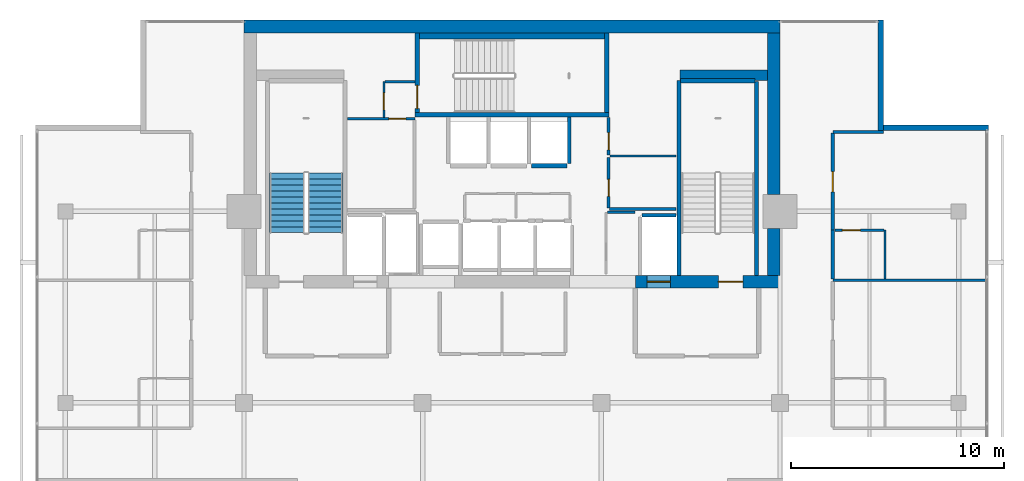
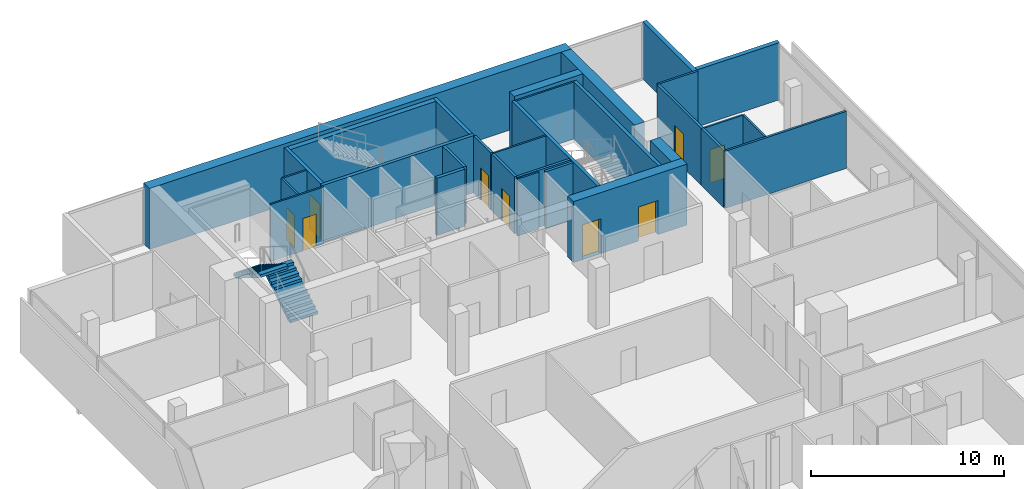
# One storey, part 23 of 26: 31 walls, 9 doors, 2 stair flights, 9 openings, 1 element without a shape of its own.
"""IFC4 building model written with IfcOpenShell, lengths in metres."""

import ifcopenshell
import ifcopenshell.guid

model = None  # the IFC model being written
_history = None  # IfcOwnerHistory: only IFC2X3 demands one
_inside = {}  # id of a spatial element -> (the spatial element, [elements in it])
_under = {}  # id of a project, library or spatial element -> (it, [spatial elements below it])
_declared = {}  # id of a project -> (the project, [libraries it declares])
_typed = {}  # id of a type object -> (the type object, [elements of that type])
_made_of = {}  # id of a material, layer set ... -> (it, [elements and type objects made of it])


def new_model(schema):
    """Start an empty IFC model of exactly this schema.

    Asked for "IFC4X3", IfcOpenShell would pick the latest addendum, in which some entities
    have other attributes; the version numbers below select the first issue.
    IFC2X3 requires an IfcOwnerHistory on every rooted entity: one is made here for all.
    """
    global model, _history
    if schema == "IFC4X3":
        model = ifcopenshell.file(schema_version=(4, 3, 0, 0))
    else:
        model = ifcopenshell.file(schema=schema)
    _inside.clear()
    _under.clear()
    _declared.clear()
    _typed.clear()
    _made_of.clear()
    _history = None
    if model.schema == "IFC2X3":
        org = make("IfcOrganization", Name="unknown")
        user = make(
            "IfcPersonAndOrganization",
            ThePerson=make("IfcPerson", FamilyName="unknown"),
            TheOrganization=org,
        )
        app = make(
            "IfcApplication",
            ApplicationDeveloper=org,
            Version="unknown",
            ApplicationFullName="unknown",
            ApplicationIdentifier="unknown",
        )
        _history = make(
            "IfcOwnerHistory",
            OwningUser=user,
            OwningApplication=app,
            ChangeAction="ADDED",
            CreationDate=0,
        )
    return model


def make(cls, **values):
    """One entity of the class cls with the attributes given. An attribute that is None is left unset."""
    return model.create_entity(
        cls, **{name: value for name, value in values.items() if value is not None}
    )


def rooted(cls, **values):
    """An entity with a GlobalId (a new one), such as an element, a storey or a relation."""
    return make(cls, GlobalId=ifcopenshell.guid.new(), OwnerHistory=_history, **values)


def si_unit(unit_type, name, prefix=None):
    """IfcSIUnit, for example si_unit("LENGTHUNIT", "METRE", prefix="MILLI")."""
    return make("IfcSIUnit", UnitType=unit_type, Prefix=prefix, Name=name)


def assignment(units):
    """IfcUnitAssignment: the units of a project."""
    return None if units is None else make("IfcUnitAssignment", Units=units)


def point(xyz):
    """IfcCartesianPoint."""
    return None if xyz is None else make("IfcCartesianPoint", Coordinates=xyz)


def direction(xyz):
    """IfcDirection."""
    return None if xyz is None else make("IfcDirection", DirectionRatios=xyz)


def frame(location, z_axis=None, x_axis=None):
    """IfcAxis2Placement3D, a coordinate frame: its origin and axes. An axis left out is left unset."""
    return make(
        "IfcAxis2Placement3D",
        Location=point(location),
        Axis=direction(z_axis),
        RefDirection=direction(x_axis),
    )


def frame_2d(location, x_axis=None):
    """IfcAxis2Placement2D, a coordinate frame in the plane: its origin and x axis."""
    return make(
        "IfcAxis2Placement2D", Location=point(location), RefDirection=direction(x_axis)
    )


def origin():
    """The frame at (0, 0, 0) with its axes left unset."""
    return frame((0.0, 0.0, 0.0))


def place(relative_to, where):
    """IfcLocalPlacement: puts the frame where relative to a parent placement (None: the world)."""
    return make(
        "IfcLocalPlacement", PlacementRelTo=relative_to, RelativePlacement=where
    )


def context(
    kind, dimensions, precision=None, world=None, true_north=None, identifier=None
):
    """IfcGeometricRepresentationContext, for example the 3D "Model" context."""
    return make(
        "IfcGeometricRepresentationContext",
        ContextIdentifier=identifier,
        ContextType=kind,
        CoordinateSpaceDimension=dimensions,
        Precision=precision,
        WorldCoordinateSystem=world,
        TrueNorth=true_north,
    )


def subcontext(parent, identifier, kind, view, scale=None):
    """IfcGeometricRepresentationSubContext, for example "Body" below "Model"."""
    return make(
        "IfcGeometricRepresentationSubContext",
        ContextIdentifier=identifier,
        ContextType=kind,
        ParentContext=parent,
        TargetScale=scale,
        TargetView=view,
    )


def project(units=None, contexts=None):
    """IfcProject with its units and contexts."""
    return rooted(
        "IfcProject",
        Name="project",
        RepresentationContexts=contexts,
        UnitsInContext=assignment(units),
    )


def spatial(cls, under=None, at=None, **own):
    """A site, building, storey or space (cls), placed at a placement, below another one or the project."""
    s = rooted(cls, ObjectPlacement=at, **own)
    if under is not None:
        _under.setdefault(under.id(), (under, []))[1].append(s)
    return s


def polyline(points):
    """IfcPolyline through the points."""
    return make("IfcPolyline", Points=[point(p) for p in points])


def profile(cls, at=None, kind="AREA", **sizes):
    """A parametric profile (cls). Its sizes go by their IFC names, for example OverallWidth=200.0."""
    return make(cls, ProfileType=kind, Position=at, **sizes)


def rectangle(**sizes):
    """IfcRectangleProfileDef."""
    return profile("IfcRectangleProfileDef", **sizes)


def outline(outer, holes=None, kind="AREA"):
    """IfcArbitraryClosedProfileDef: a profile drawn as a closed curve; with holes, ...WithVoids."""
    if holes is None:
        return make("IfcArbitraryClosedProfileDef", ProfileType=kind, OuterCurve=outer)
    return make(
        "IfcArbitraryProfileDefWithVoids",
        ProfileType=kind,
        OuterCurve=outer,
        InnerCurves=holes,
    )


def extrude(swept, where, along, depth):
    """IfcExtrudedAreaSolid: the profile swept, set in the frame where, extruded along a direction by depth."""
    return make(
        "IfcExtrudedAreaSolid",
        SweptArea=swept,
        Position=where,
        ExtrudedDirection=direction(along),
        Depth=depth,
    )


def shape(context_of_items, identifier, shape_type, items):
    """IfcShapeRepresentation: the items that make up one representation, for example the "Body"."""
    return make(
        "IfcShapeRepresentation",
        ContextOfItems=context_of_items,
        RepresentationIdentifier=identifier,
        RepresentationType=shape_type,
        Items=items,
    )


def material(Name=None, Category=None):
    """IfcMaterial."""
    return make("IfcMaterial", Name=Name, Category=Category)


def layer(
    of_material, thickness, ventilated=None, Name=None, Category=None, Priority=None
):
    """IfcMaterialLayer: one layer of a wall or slab, of a material (None: an air gap)."""
    return make(
        "IfcMaterialLayer",
        Material=of_material,
        LayerThickness=thickness,
        IsVentilated=ventilated,
        Name=Name,
        Category=Category,
        Priority=Priority,
    )


def layer_set(layers, Name=None):
    """IfcMaterialLayerSet."""
    return make("IfcMaterialLayerSet", MaterialLayers=layers, LayerSetName=Name)


def made_of(thing, what):
    """Note that an element or type object is made of a material, layer set ...; save() writes the relation."""
    if what is not None:
        _made_of.setdefault(what.id(), (what, []))[1].append(thing)
    return thing


def type_object(cls, material=None, **own):
    """A type object (cls), such as IfcWallType, which elements share."""
    return made_of(rooted(cls, **own), material)


def element(
    cls,
    number,
    at=None,
    inside=None,
    cuts=None,
    type_object=None,
    material=None,
    context=None,
    identifier="Body",
    shape_type=None,
    held_by="IfcProductDefinitionShape",
    body=None,
    shapes=None,
    **own,
):
    """One element of the class cls, such as IfcWall. Its Tag is "e" and its number.

    at: its placement. inside: the storey or other place that contains it. cuts: it is an
    opening in that element (IfcRelVoidsElement). A single representation is given by context,
    identifier, shape_type and body (its items); several are given by shapes. held_by: the class
    of the entity that holds the representations. save() writes the other relations.
    """
    e = rooted(cls, Tag="e%d" % number, ObjectPlacement=at, **own)
    if body is not None:
        shapes = [shape(context, identifier, shape_type, body)]
    if shapes is not None:
        e.Representation = make(held_by, Representations=shapes)
    if inside is not None:
        _inside.setdefault(inside.id(), (inside, []))[1].append(e)
    if cuts is not None:
        rooted(
            "IfcRelVoidsElement", RelatingBuildingElement=cuts, RelatedOpeningElement=e
        )
    if type_object is not None:
        _typed.setdefault(type_object.id(), (type_object, []))[1].append(e)
    return made_of(e, material)


def fill(opening, filler):
    """IfcRelFillsElement: the door or window that sits in an opening."""
    return rooted(
        "IfcRelFillsElement",
        RelatingOpeningElement=opening,
        RelatedBuildingElement=filler,
    )


def aggregate(whole, parts):
    """IfcRelAggregates: a whole, such as a stair, and the parts it consists of."""
    return rooted("IfcRelAggregates", RelatingObject=whole, RelatedObjects=parts)


def save(model, path):
    """Write the relations noted so far, then the file.

    IfcRelAggregates (storeys below a building ...), IfcRelContainedInSpatialStructure (elements
    in a storey), IfcRelDefinesByType, IfcRelAssociatesMaterial and IfcRelDeclares: one each for
    every whole, place, type object, material and project.
    """
    for whole, parts in _under.values():
        aggregate(whole, parts)
    for where, things in _inside.values():
        rooted(
            "IfcRelContainedInSpatialStructure",
            RelatedElements=things,
            RelatingStructure=where,
        )
    for kind, things in _typed.values():
        rooted("IfcRelDefinesByType", RelatedObjects=things, RelatingType=kind)
    for what, things in _made_of.values():
        rooted("IfcRelAssociatesMaterial", RelatedObjects=things, RelatingMaterial=what)
    for by, libraries in _declared.values():
        rooted("IfcRelDeclares", RelatingContext=by, RelatedDefinitions=libraries)
    model.write(path)


model = new_model("IFC4")

# Units and contexts
model_context = context("Model", 3, precision=1e-05, world=origin(), true_north=direction((0.0, 1.0)))
body_context = subcontext(model_context, "Body", "Model", "MODEL_VIEW")
ifc_project = project(units=[si_unit("LENGTHUNIT", "METRE"), si_unit("AREAUNIT", "SQUARE_METRE"), si_unit("VOLUMEUNIT", "CUBIC_METRE"), si_unit("PLANEANGLEUNIT", "RADIAN"), si_unit("MASSUNIT", "GRAM", prefix="KILO")], contexts=[model_context])

# Site, building, storey
site_placement = place(None, origin())
site = spatial("IfcSite", under=ifc_project, at=site_placement, CompositionType="ELEMENT")
building_placement = place(site_placement, origin())
building = spatial("IfcBuilding", under=site, at=building_placement, Name="Maruvema Waterfront Hotel and Observation Tower", CompositionType="ELEMENT")
storey_placement = place(building_placement, frame((0.0, 0.0, 243.25)))
storey = spatial("IfcBuildingStorey", under=building, at=storey_placement, Name="L59", CompositionType="ELEMENT", Elevation=243.25)

# Wall, opening, door
ifc_material_1 = material(Name="Twin-stud acoustic gypsum drywall", Category="gypsum")
ifc_layer_1 = layer(ifc_material_1, 0.14990234375, Name="Acoustic Corridor and Suite Demising Wall 150 mm")
ifc_layer_set_1 = layer_set([ifc_layer_1], Name="Twin-stud acoustic gypsum drywall")
wall_type_1 = type_object("IfcWallType", Name="Acoustic Corridor and Suite Demising Wall 150 mm", PredefinedType="PARTITIONING", material=ifc_layer_set_1)
wall_1_placement = place(storey_placement, frame((42.340087890625, 45.159912109375, 0.0), z_axis=(0.0, 0.0, 1.0), x_axis=(0.0, 1.0, 0.0)))
wall_1 = element("IfcWall", 1, at=wall_1_placement, inside=storey, type_object=wall_type_1, Name="L59 Freed B2 West S 022", PredefinedType="PARTITIONING", context=body_context, shape_type="SweptSolid", body=[
    extrude(rectangle(XDim=2.380126953125, YDim=0.14990234375, at=frame_2d((1.18994140625, 0.0))), origin(), (0.0, 0.0, 1.0), 3.610107421875),
])
opening_1_placement = place(wall_1_placement, frame((0.550048828125, 0.0, 0.0)))
opening_1 = element("IfcOpeningElement", 2, at=opening_1_placement, cuts=wall_1, Name="Opening DR-080", PredefinedType="OPENING", context=body_context, shape_type="SweptSolid", body=[
    extrude(rectangle(XDim=0.800048828125, YDim=2.050048828125, at=frame_2d((0.39990234375, 1.02490234375))), frame((0.0, 0.0849609375, 0.0), z_axis=(0.0, -1.0, 0.0), x_axis=(1.0, 0.0, 0.0)), (0.0, 0.0, 1.0), 0.169921875),
])
ifc_material_2 = material(Name="Powder-coated steel access leaf", Category="steel")
door_type_1 = type_object("IfcDoorType", Name="Riser and Service Cupboard Door 800x2050 mm", OperationType="NOTDEFINED", PredefinedType="DOOR", material=ifc_material_2)
door_1_placement = place(opening_1_placement, frame((0.800048828125, 0.0, 0.0), z_axis=(0.0, 0.0, 1.0), x_axis=(-1.0, 0.0, 0.0)))
door_1 = element("IfcDoor", 3, at=door_1_placement, inside=storey, type_object=door_type_1, Name="L59 Butler Service Pantry Door", OperationType="SINGLE_SWING_RIGHT", OverallHeight=2.050048828125, OverallWidth=0.800048828125, PredefinedType="DOOR", context=body_context, shape_type="SweptSolid", body=[
    extrude(rectangle(XDim=0.800048828125, YDim=2.050048828125, at=frame_2d((0.39990234375, 1.02490234375))), frame((0.0, 0.02490234375, 0.0), z_axis=(0.0, -1.0, 0.0), x_axis=(1.0, 0.0, 0.0)), (0.0, 0.0, 1.0), 0.050048828125),
])
fill(opening_1, door_1)

wall_2_placement = place(storey_placement, frame((42.340087890625, 47.659912109375, 0.0), z_axis=(0.0, 0.0, 1.0), x_axis=(0.0, 1.0, 0.0)))
wall_2 = element("IfcWall", 4, at=wall_2_placement, inside=storey, type_object=wall_type_1, Name="L59 Freed B2 West N 023", PredefinedType="PARTITIONING", context=body_context, shape_type="SweptSolid", body=[
    extrude(rectangle(XDim=1.760009765625, YDim=0.14990234375, at=frame_2d((0.8798828125, 0.0))), origin(), (0.0, 0.0, 1.0), 3.610107421875),
])
opening_2_placement = place(wall_2_placement, frame((0.239990234375, 0.0, 0.0)))
opening_2 = element("IfcOpeningElement", 5, at=opening_2_placement, cuts=wall_2, Name="Opening DR-080", PredefinedType="OPENING", context=body_context, shape_type="SweptSolid", body=[
    extrude(rectangle(XDim=0.800048828125, YDim=2.050048828125, at=frame_2d((0.39990234375, 1.02490234375))), frame((0.0, 0.0849609375, 0.0), z_axis=(0.0, -1.0, 0.0), x_axis=(1.0, 0.0, 0.0)), (0.0, 0.0, 1.0), 0.169921875),
])
door_2_placement = place(opening_2_placement, frame((0.800048828125, 0.0, 0.0), z_axis=(0.0, 0.0, 1.0), x_axis=(-1.0, 0.0, 0.0)))
door_2 = element("IfcDoor", 6, at=door_2_placement, inside=storey, type_object=door_type_1, Name="L59 Core IT and Linen Store Door", OperationType="SINGLE_SWING_LEFT", OverallHeight=2.050048828125, OverallWidth=0.800048828125, PredefinedType="DOOR", context=body_context, shape_type="SweptSolid", body=[
    extrude(rectangle(XDim=0.800048828125, YDim=2.050048828125, at=frame_2d((0.39990234375, 1.02490234375))), frame((0.0, 0.02490234375, 0.0), z_axis=(0.0, -1.0, 0.0), x_axis=(1.0, 0.0, 0.0)), (0.0, 0.0, 1.0), 0.050048828125),
])
fill(opening_2, door_2)

# Walls
wall_3_placement = place(storey_placement, frame((42.3798828125, 45.1201171875, 0.0), z_axis=(0.0, 0.0, 1.0), x_axis=(1.0, 0.0, 0.0)))
element("IfcWall", 7, at=wall_3_placement, inside=storey, type_object=wall_type_1, Name="L59 Freed B2 South Wall 025", PredefinedType="PARTITIONING", context=body_context, shape_type="SweptSolid", body=[
    extrude(rectangle(XDim=3.14013671875, YDim=0.14990234375, at=frame_2d((1.570068359375, 0.0))), origin(), (0.0, 0.0, 1.0), 3.610107421875),
])
wall_4_placement = place(storey_placement, frame((52.8798828125, 41.82861328125, 0.0), z_axis=(0.0, 0.0, 1.0), x_axis=(0.0, 1.0, 0.0)))
element("IfcWall", 8, at=wall_4_placement, inside=storey, type_object=wall_type_1, Name="L59 Bath L59-NE2 Wall 108", PredefinedType="PARTITIONING", context=body_context, shape_type="SweptSolid", body=[
    extrude(rectangle(XDim=2.2900390625, YDim=0.14990234375, at=frame_2d((1.14501953125, 0.0))), origin(), (0.0, 0.0, 1.0), 3.610107421875),
])

# Wall, opening, door
wall_5_placement = place(storey_placement, frame((52.8798828125, 44.11865234375, 0.0), z_axis=(0.0, 0.0, 1.0), x_axis=(0.0, 1.0, 0.0)))
wall_5 = element("IfcWall", 9, at=wall_5_placement, inside=storey, type_object=wall_type_1, Name="L59 Room L59-NE2 Corridor Wall 109", PredefinedType="PARTITIONING", context=body_context, shape_type="SweptSolid", body=[
    extrude(rectangle(XDim=4.558837890625, YDim=0.14990234375, at=frame_2d((2.279296875, 0.0))), origin(), (0.0, 0.0, 1.0), 3.610107421875),
])
opening_3_placement = place(wall_5_placement, frame((1.804443359375, 0.0, 0.0)))
opening_3 = element("IfcOpeningElement", 10, at=opening_3_placement, cuts=wall_5, Name="Opening DR-095", PredefinedType="OPENING", context=body_context, shape_type="SweptSolid", body=[
    extrude(rectangle(XDim=0.949951171875, YDim=2.14990234375, at=frame_2d((0.47509765625, 1.074951171875))), frame((0.0, 0.0849609375, 0.0), z_axis=(0.0, -1.0, 0.0), x_axis=(1.0, 0.0, 0.0)), (0.0, 0.0, 1.0), 0.169921875),
])
ifc_material_3 = material(Name="Acoustic solid-core hardwood timber leaf", Category="wood")
door_type_2 = type_object("IfcDoorType", Name="Guestroom Entrance Fire Door 950x2150 mm", OperationType="NOTDEFINED", PredefinedType="DOOR", material=ifc_material_3)
door_3_placement = place(opening_3_placement, frame((0.949951171875, 0.0, 0.0), z_axis=(0.0, 0.0, 1.0), x_axis=(-1.0, 0.0, 0.0)))
door_3 = element("IfcDoor", 11, at=door_3_placement, inside=storey, type_object=door_type_2, Name="L59 Room L59-NE2 Entrance Door", OperationType="SINGLE_SWING_LEFT", OverallHeight=2.14990234375, OverallWidth=0.949951171875, PredefinedType="DOOR", context=body_context, shape_type="SweptSolid", body=[
    extrude(rectangle(XDim=0.949951171875, YDim=2.14990234375, at=frame_2d((0.47509765625, 1.074951171875))), frame((0.0, 0.02490234375, 0.0), z_axis=(0.0, -1.0, 0.0), x_axis=(1.0, 0.0, 0.0)), (0.0, 0.0, 1.0), 0.050048828125),
])
fill(opening_3, door_3)

# Walls
ifc_material_4 = material(Name="Precast concrete C45/55", Category="concrete")
ifc_layer_2 = layer(ifc_material_4, 0.300048828125, Name="Core Shaft Furring Wall 300 mm")
ifc_layer_set_2 = layer_set([ifc_layer_2], Name="Precast concrete C45/55")
wall_type_2 = type_object("IfcWallType", Name="Core Shaft Furring Wall 300 mm", PredefinedType="SOLIDWALL", material=ifc_layer_set_2)
wall_6_placement = place(storey_placement, frame((33.449951171875, 53.25, 0.0), z_axis=(0.0, 0.0, 1.0), x_axis=(1.0, 0.0, 0.0)))
element("IfcWall", 12, at=wall_6_placement, inside=storey, type_object=wall_type_2, Name="L59 Stairwell ST-02 North Furring Wall", PredefinedType="SOLIDWALL", context=body_context, shape_type="SweptSolid", body=[
    extrude(rectangle(XDim=8.699951171875, YDim=0.300048828125, at=frame_2d((4.35009765625, 0.0))), origin(), (0.0, 0.0, 1.0), 3.610107421875),
])
ifc_material_5 = material(Name="Precast concrete C45/55", Category="concrete")
ifc_layer_3 = layer(ifc_material_5, 0.199951171875, Name="Core Shaft and Stairwell Enclosure Wall 200 mm")
ifc_layer_set_3 = layer_set([ifc_layer_3], Name="Precast concrete C45/55")
wall_type_3 = type_object("IfcWallType", Name="Core Shaft and Stairwell Enclosure Wall 200 mm", PredefinedType="SOLIDWALL", material=ifc_layer_set_3)
wall_7_placement = place(storey_placement, frame((33.25, 49.550048828125, 0.0), z_axis=(0.0, 0.0, 1.0), x_axis=(1.0, 0.0, 0.0)))
element("IfcWall", 13, at=wall_7_placement, inside=storey, type_object=wall_type_3, Name="L59 Stairwell ST-02 Shaft Wall", PredefinedType="SOLIDWALL", context=body_context, shape_type="SweptSolid", body=[
    extrude(rectangle(XDim=9.10009765625, YDim=0.199951171875, at=frame_2d((4.550048828125, 0.0))), origin(), (0.0, 0.0, 1.0), 3.610107421875),
])
wall_8_placement = place(storey_placement, frame((42.25, 49.64990234375, 0.0), z_axis=(0.0, 0.0, 1.0), x_axis=(0.0, 1.0, 0.0)))
element("IfcWall", 14, at=wall_8_placement, inside=storey, type_object=wall_type_3, Name="L59 Stairwell ST-02 Shaft Wall", PredefinedType="SOLIDWALL", context=body_context, shape_type="SweptSolid", body=[
    extrude(rectangle(XDim=3.75, YDim=0.199951171875, at=frame_2d((1.875, 0.0))), origin(), (0.0, 0.0, 1.0), 3.610107421875),
])

# Wall, opening, door
wall_9_placement = place(storey_placement, frame((33.35009765625, 49.64990234375, 0.0), z_axis=(0.0, 0.0, 1.0), x_axis=(0.0, 1.0, 0.0)))
wall_9 = element("IfcWall", 15, at=wall_9_placement, inside=storey, type_object=wall_type_3, Name="L59 Stairwell ST-02 Shaft Wall", PredefinedType="SOLIDWALL", context=body_context, shape_type="SweptSolid", body=[
    extrude(rectangle(XDim=3.75, YDim=0.199951171875, at=frame_2d((1.875, 0.0))), origin(), (0.0, 0.0, 1.0), 3.610107421875),
])
opening_4_placement = place(wall_9_placement, frame((0.179931640625, 0.0, 0.0)))
opening_4 = element("IfcOpeningElement", 16, at=opening_4_placement, cuts=wall_9, Name="Opening SD-02", PredefinedType="OPENING", context=body_context, shape_type="SweptSolid", body=[
    extrude(rectangle(XDim=1.10009765625, YDim=2.14990234375, at=frame_2d((0.550048828125, 1.074951171875))), frame((0.0, 0.10986328125, 0.0), z_axis=(0.0, -1.0, 0.0), x_axis=(1.0, 0.0, 0.0)), (0.0, 0.0, 1.0), 0.219970703125),
])
ifc_material_6 = material(Name="Fire-rated galvanised steel leaf", Category="steel")
door_type_3 = type_object("IfcDoorType", Name="Central Exit Stair Fire Door 1100x2150 mm", OperationType="NOTDEFINED", PredefinedType="DOOR", material=ifc_material_6)
door_4_placement = place(opening_4_placement, frame((1.10009765625, 0.0, 0.0), z_axis=(0.0, 0.0, 1.0), x_axis=(-1.0, 0.0, 0.0)))
door_4 = element("IfcDoor", 17, at=door_4_placement, inside=storey, type_object=door_type_3, Name="L59 Exit Stair ST-02 Fire Door", OperationType="SINGLE_SWING_LEFT", OverallHeight=2.14990234375, OverallWidth=1.10009765625, PredefinedType="DOOR", context=body_context, shape_type="SweptSolid", body=[
    extrude(rectangle(XDim=1.10009765625, YDim=2.14990234375, at=frame_2d((0.550048828125, 1.074951171875))), frame((0.0, 0.02490234375, 0.0), z_axis=(0.0, -1.0, 0.0), x_axis=(1.0, 0.0, 0.0)), (0.0, 0.0, 1.0), 0.050048828125),
])
fill(opening_4, door_4)

# Walls
wall_10_placement = place(storey_placement, frame((45.64990234375, 42.0, 0.0), z_axis=(0.0, 0.0, 1.0), x_axis=(0.0, 1.0, 0.0)))
element("IfcWall", 18, at=wall_10_placement, inside=storey, type_object=wall_type_3, Name="L59 Stairwell ST-03 West Shaft Wall", PredefinedType="SOLIDWALL", context=body_context, shape_type="SweptSolid", body=[
    extrude(rectangle(XDim=9.14990234375, YDim=0.199951171875, at=frame_2d((4.574951171875, 0.0))), origin(), (0.0, 0.0, 1.0), 3.610107421875),
])
wall_11_placement = place(storey_placement, frame((49.300048828125, 42.0, 0.0), z_axis=(0.0, 0.0, 1.0), x_axis=(0.0, 1.0, 0.0)))
element("IfcWall", 19, at=wall_11_placement, inside=storey, type_object=wall_type_3, Name="L59 Stairwell ST-03 Shaft Lining Wall", PredefinedType="SOLIDWALL", context=body_context, shape_type="SweptSolid", body=[
    extrude(rectangle(XDim=9.1201171875, YDim=0.199951171875, at=frame_2d((4.56005859375, 0.0))), origin(), (0.0, 0.0, 1.0), 3.610107421875),
])
wall_12_placement = place(storey_placement, frame((45.719970703125, 51.14990234375, 0.0), z_axis=(0.0, 0.0, 1.0), x_axis=(1.0, 0.0, 0.0)))
element("IfcWall", 20, at=wall_12_placement, inside=storey, type_object=wall_type_3, Name="L59 Stairwell ST-03 Shaft Lining Wall", PredefinedType="SOLIDWALL", context=body_context, shape_type="SweptSolid", body=[
    extrude(rectangle(XDim=3.5, YDim=0.199951171875, at=frame_2d((1.75, 0.0))), origin(), (0.0, 0.0, 1.0), 3.610107421875),
])
wall_13_placement = place(storey_placement, frame((38.7099609375, 47.14990234375, 0.0), z_axis=(0.0, 0.0, 1.0), x_axis=(1.0, 0.0, 0.0)))
element("IfcWall", 21, at=wall_13_placement, inside=storey, type_object=wall_type_3, Name="L59 Lift LF-14 Hoistway Front Wall", PredefinedType="SOLIDWALL", context=body_context, shape_type="SweptSolid", body=[
    extrude(rectangle(XDim=1.679931640625, YDim=0.199951171875, at=frame_2d((0.83984375, 0.0))), origin(), (0.0, 0.0, 1.0), 3.610107421875),
])
ifc_material_7 = material(Name="Concrete C70/85", Category="concrete")
ifc_layer_4 = layer(ifc_material_7, 0.5, Name="Core Shear Wall 500 mm")
ifc_layer_set_4 = layer_set([ifc_layer_4], Name="Concrete C70/85")
wall_type_4 = type_object("IfcWallType", Name="Core Shear Wall 500 mm", PredefinedType="SHEAR", material=ifc_layer_set_4)
wall_14_placement = place(storey_placement, frame((45.699951171875, 51.39990234375, 0.0), z_axis=(0.0, 0.0, 1.0), x_axis=(1.0, 0.0, 0.0)))
element("IfcWall", 22, at=wall_14_placement, inside=storey, type_object=wall_type_4, Name="L59 Internal Core Shear Wall NE 500 mm", PredefinedType="SHEAR", context=body_context, shape_type="SweptSolid", body=[
    extrude(rectangle(XDim=4.10009765625, YDim=0.5, at=frame_2d((2.050048828125, 0.0))), origin(), (0.0, 0.0, 1.0), 3.85009765625),
])
ifc_material_8 = material(Name="Concrete C60/75", Category="concrete")
ifc_layer_5 = layer(ifc_material_8, 0.60009765625, Name="Core Shear Wall 600 mm")
ifc_layer_set_5 = layer_set([ifc_layer_5], Name="Concrete C60/75")
wall_type_5 = type_object("IfcWallType", Name="Core Shear Wall 600 mm", PredefinedType="SHEAR", material=ifc_layer_set_5)
wall_15_placement = place(storey_placement, frame((25.199951171875, 53.699951171875, 0.0), z_axis=(0.0, 0.0, 1.0), x_axis=(1.0, 0.0, 0.0)))
element("IfcWall", 23, at=wall_15_placement, inside=storey, type_object=wall_type_5, Name="L59 North Core Shear Wall", PredefinedType="SHEAR", context=body_context, shape_type="SweptSolid", body=[
    extrude(rectangle(XDim=25.199951171875, YDim=0.60009765625, at=frame_2d((12.60009765625, 0.0))), origin(), (0.0, 0.0, 1.0), 3.85009765625),
])

# Wall, openings, doors
wall_16_placement = place(storey_placement, frame((43.60009765625, 41.699951171875, 0.0), z_axis=(0.0, 0.0, 1.0), x_axis=(1.0, 0.0, 0.0)))
wall_16 = element("IfcWall", 24, at=wall_16_placement, inside=storey, type_object=wall_type_5, Name="L59 South-East Core Shear Wall", PredefinedType="SHEAR", context=body_context, shape_type="SweptSolid", body=[
    extrude(rectangle(XDim=6.7998046875, YDim=0.60009765625, at=frame_2d((3.39990234375, 0.0))), origin(), (0.0, 0.0, 1.0), 3.85009765625),
])
opening_5_placement = place(wall_16_placement, frame((3.89990234375, 0.0, 0.0)))
opening_5 = element("IfcOpeningElement", 25, at=opening_5_placement, cuts=wall_16, Name="Opening SD-01", PredefinedType="OPENING", context=body_context, shape_type="SweptSolid", body=[
    extrude(rectangle(XDim=1.14990234375, YDim=2.14990234375, at=frame_2d((0.574951171875, 1.074951171875))), frame((0.0, 0.31005859375, 0.0), z_axis=(0.0, -1.0, 0.0), x_axis=(1.0, 0.0, 0.0)), (0.0, 0.0, 1.0), 0.6201171875),
])
opening_6_placement = place(wall_16_placement, frame((0.550048828125, 0.0, 0.0)))
opening_6 = element("IfcOpeningElement", 26, at=opening_6_placement, cuts=wall_16, Name="Opening LD-03", PredefinedType="OPENING", context=body_context, shape_type="SweptSolid", body=[
    extrude(rectangle(XDim=1.10009765625, YDim=2.199951171875, at=frame_2d((0.550048828125, 1.10009765625))), frame((0.0, 0.31005859375, 0.0), z_axis=(0.0, -1.0, 0.0), x_axis=(1.0, 0.0, 0.0)), (0.0, 0.0, 1.0), 0.6201171875),
])
ifc_material_9 = material(Name="Fire-rated galvanised steel leaf", Category="steel")
door_type_4 = type_object("IfcDoorType", Name="Exit Stair Fire Door 1150x2150 mm", OperationType="NOTDEFINED", PredefinedType="DOOR", material=ifc_material_9)
door_5_placement = place(opening_5_placement, origin())
door_5 = element("IfcDoor", 27, at=door_5_placement, inside=storey, type_object=door_type_4, Name="L59 Exit Stair ST-03 Fire Door", OperationType="SINGLE_SWING_RIGHT", OverallHeight=2.14990234375, OverallWidth=1.14990234375, PredefinedType="DOOR", context=body_context, shape_type="SweptSolid", body=[
    extrude(rectangle(XDim=1.14990234375, YDim=2.14990234375, at=frame_2d((0.574951171875, 1.074951171875))), frame((0.0, 0.02490234375, 0.0), z_axis=(0.0, -1.0, 0.0), x_axis=(1.0, 0.0, 0.0)), (0.0, 0.0, 1.0), 0.050048828125),
])
fill(opening_5, door_5)
ifc_material_10 = material(Name="Brushed stainless steel Grade 316", Category="steel")
door_type_5 = type_object("IfcDoorType", Name="Firefighting Lift Sliding Landing Door 1100x2200 mm", OperationType="SLIDING_TO_LEFT", PredefinedType="DOOR", material=ifc_material_10)
door_6_placement = place(opening_6_placement, frame((1.10009765625, 0.0, 0.0), z_axis=(0.0, 0.0, 1.0), x_axis=(-1.0, 0.0, 0.0)))
door_6 = element("IfcDoor", 28, at=door_6_placement, inside=storey, type_object=door_type_5, Name="L59 Firefighting Lift FL-02 Landing Door", OperationType="SLIDING_TO_LEFT", OverallHeight=2.199951171875, OverallWidth=1.10009765625, PredefinedType="DOOR", context=body_context, shape_type="SweptSolid", body=[
    extrude(rectangle(XDim=1.10009765625, YDim=2.199951171875, at=frame_2d((0.550048828125, 1.10009765625))), frame((0.0, 0.02490234375, 0.0), z_axis=(0.0, -1.0, 0.0), x_axis=(1.0, 0.0, 0.0)), (0.0, 0.0, 1.0), 0.050048828125),
])
fill(opening_6, door_6)

# Walls
wall_17_placement = place(storey_placement, frame((50.10009765625, 42.0, 0.0), z_axis=(0.0, 0.0, 1.0), x_axis=(0.0, 1.0, 0.0)))
element("IfcWall", 29, at=wall_17_placement, inside=storey, type_object=wall_type_5, Name="L59 East-South Core Shear Wall", PredefinedType="SHEAR", context=body_context, shape_type="SweptSolid", body=[
    extrude(rectangle(XDim=2.199951171875, YDim=0.60009765625, at=frame_2d((1.10009765625, 0.0))), origin(), (0.0, 0.0, 1.0), 3.85009765625),
])
wall_18_placement = place(storey_placement, frame((50.10009765625, 45.800048828125, 0.0), z_axis=(0.0, 0.0, 1.0), x_axis=(0.0, 1.0, 0.0)))
element("IfcWall", 30, at=wall_18_placement, inside=storey, type_object=wall_type_5, Name="L59 East-North Core Shear Wall", PredefinedType="SHEAR", context=body_context, shape_type="SweptSolid", body=[
    extrude(rectangle(XDim=7.599853515625, YDim=0.60009765625, at=frame_2d((3.7998046875, 0.0))), origin(), (0.0, 0.0, 1.0), 3.85009765625),
])
ifc_material_11 = material(Name="Moisture-resistant cement-board drywall", Category="gypsum")
ifc_layer_6 = layer(ifc_material_11, 0.10009765625, Name="En-Suite Moisture-Resistant Partition 100 mm")
ifc_layer_set_6 = layer_set([ifc_layer_6], Name="Moisture-resistant cement-board drywall")
wall_type_6 = type_object("IfcWallType", Name="En-Suite Moisture-Resistant Partition 100 mm", PredefinedType="PARTITIONING", material=ifc_layer_set_6)
wall_19_placement = place(storey_placement, frame((42.280029296875, 44.9599609375, 0.0), z_axis=(0.0, 0.0, 1.0), x_axis=(1.0, 0.0, 0.0)))
element("IfcWall", 31, at=wall_19_placement, inside=storey, type_object=wall_type_6, Name="L59 Core Closet K2C North 016", PredefinedType="PARTITIONING", context=body_context, shape_type="SweptSolid", body=[
    extrude(rectangle(XDim=1.300048828125, YDim=0.10009765625, at=frame_2d((0.64990234375, 0.0))), origin(), (0.0, 0.0, 1.0), 3.610107421875),
])

# Wall, opening, door
wall_20_placement = place(storey_placement, frame((30.06005859375, 49.360107421875, 0.0), z_axis=(0.0, 0.0, 1.0), x_axis=(1.0, 0.0, 0.0)))
wall_20 = element("IfcWall", 32, at=wall_20_placement, inside=storey, type_object=wall_type_6, Name="L59 Freed B1 Mid Wall 019", PredefinedType="PARTITIONING", context=body_context, shape_type="SweptSolid", body=[
    extrude(rectangle(XDim=3.179931640625, YDim=0.10009765625, at=frame_2d((1.58984375, 0.0))), origin(), (0.0, 0.0, 1.0), 3.610107421875),
])
opening_7_placement = place(wall_20_placement, frame((1.949951171875, 0.0, 0.0)))
opening_7 = element("IfcOpeningElement", 33, at=opening_7_placement, cuts=wall_20, Name="Opening DR-080", PredefinedType="OPENING", context=body_context, shape_type="SweptSolid", body=[
    extrude(rectangle(XDim=0.800048828125, YDim=2.050048828125, at=frame_2d((0.39990234375, 1.02490234375))), frame((0.0, 0.06005859375, 0.0), z_axis=(0.0, -1.0, 0.0), x_axis=(1.0, 0.0, 0.0)), (0.0, 0.0, 1.0), 0.1201171875),
])
door_7_placement = place(opening_7_placement, origin())
door_7 = element("IfcDoor", 34, at=door_7_placement, inside=storey, type_object=door_type_1, Name="L59 Housekeeping and Linen Room Door", OperationType="SINGLE_SWING_RIGHT", OverallHeight=2.050048828125, OverallWidth=0.800048828125, PredefinedType="DOOR", context=body_context, shape_type="SweptSolid", body=[
    extrude(rectangle(XDim=0.800048828125, YDim=2.050048828125, at=frame_2d((0.39990234375, 1.02490234375))), frame((0.0, 0.02490234375, 0.0), z_axis=(0.0, -1.0, 0.0), x_axis=(1.0, 0.0, 0.0)), (0.0, 0.0, 1.0), 0.050048828125),
])
fill(opening_7, door_7)

wall_21_placement = place(storey_placement, frame((31.780029296875, 49.419921875, 0.0), z_axis=(0.0, 0.0, 1.0), x_axis=(0.0, 1.0, 0.0)))
wall_21 = element("IfcWall", 35, at=wall_21_placement, inside=storey, type_object=wall_type_6, Name="L59 Freed B1 NW East Wall 020", PredefinedType="PARTITIONING", context=body_context, shape_type="SweptSolid", body=[
    extrude(rectangle(XDim=1.68017578125, YDim=0.10009765625, at=frame_2d((0.840087890625, 0.0))), origin(), (0.0, 0.0, 1.0), 3.610107421875),
])
opening_8_placement = place(wall_21_placement, frame((0.35009765625, 0.0, 0.0)))
opening_8 = element("IfcOpeningElement", 36, at=opening_8_placement, cuts=wall_21, Name="Opening DR-080", PredefinedType="OPENING", context=body_context, shape_type="SweptSolid", body=[
    extrude(rectangle(XDim=0.800048828125, YDim=2.050048828125, at=frame_2d((0.39990234375, 1.02490234375))), frame((0.0, 0.06005859375, 0.0), z_axis=(0.0, -1.0, 0.0), x_axis=(1.0, 0.0, 0.0)), (0.0, 0.0, 1.0), 0.1201171875),
])
door_8_placement = place(opening_8_placement, origin())
door_8 = element("IfcDoor", 37, at=door_8_placement, inside=storey, type_object=door_type_1, Name="L59 Guest Floor Pantry Door", OperationType="SINGLE_SWING_LEFT", OverallHeight=2.050048828125, OverallWidth=0.800048828125, PredefinedType="DOOR", context=body_context, shape_type="SweptSolid", body=[
    extrude(rectangle(XDim=0.800048828125, YDim=2.050048828125, at=frame_2d((0.39990234375, 1.02490234375))), frame((0.0, 0.02490234375, 0.0), z_axis=(0.0, -1.0, 0.0), x_axis=(1.0, 0.0, 0.0)), (0.0, 0.0, 1.0), 0.050048828125),
])
fill(opening_8, door_8)

# Walls
wall_22_placement = place(storey_placement, frame((31.820068359375, 51.10009765625, 0.0), z_axis=(0.0, 0.0, 1.0), x_axis=(1.0, 0.0, 0.0)))
element("IfcWall", 38, at=wall_22_placement, inside=storey, type_object=wall_type_6, Name="L59 Freed B1 Vestibule North Wall 021", PredefinedType="PARTITIONING", context=body_context, shape_type="SweptSolid", body=[
    extrude(rectangle(XDim=1.419921875, YDim=0.10009765625, at=frame_2d((0.7099609375, 0.0))), origin(), (0.0, 0.0, 1.0), 3.610107421875),
])
wall_23_placement = place(storey_placement, frame((42.39990234375, 47.60009765625, 0.0), z_axis=(0.0, 0.0, 1.0), x_axis=(1.0, 0.0, 0.0)))
element("IfcWall", 39, at=wall_23_placement, inside=storey, type_object=wall_type_6, Name="L59 Freed B2 Split 024", PredefinedType="PARTITIONING", context=body_context, shape_type="SweptSolid", body=[
    extrude(rectangle(XDim=3.10009765625, YDim=0.10009765625, at=frame_2d((1.550048828125, 0.0))), origin(), (0.0, 0.0, 1.0), 3.610107421875),
])
wall_24_placement = place(storey_placement, frame((55.330078125, 41.82861328125, 0.0), z_axis=(0.0, 0.0, 1.0), x_axis=(0.0, 1.0, 0.0)))
element("IfcWall", 40, at=wall_24_placement, inside=storey, type_object=wall_type_6, Name="L59 En-Suite L59-NE2 E 110", PredefinedType="PARTITIONING", context=body_context, shape_type="SweptSolid", body=[
    extrude(rectangle(XDim=2.2900390625, YDim=0.10009765625, at=frame_2d((1.14501953125, 0.0))), origin(), (0.0, 0.0, 1.0), 3.610107421875),
])

# Wall, opening, door
wall_25_placement = place(storey_placement, frame((52.97998046875, 44.11865234375, 0.0), z_axis=(0.0, 0.0, 1.0), x_axis=(1.0, 0.0, 0.0)))
wall_25 = element("IfcWall", 41, at=wall_25_placement, inside=storey, type_object=wall_type_6, Name="L59 En-Suite L59-NE2 N 111", PredefinedType="PARTITIONING", context=body_context, shape_type="SweptSolid", body=[
    extrude(rectangle(XDim=2.300048828125, YDim=0.10009765625, at=frame_2d((1.14990234375, 0.0))), origin(), (0.0, 0.0, 1.0), 3.610107421875),
])
opening_9_placement = place(wall_25_placement, frame((0.35009765625, 0.0, 0.0)))
opening_9 = element("IfcOpeningElement", 42, at=opening_9_placement, cuts=wall_25, Name="Opening DR-085", PredefinedType="OPENING", context=body_context, shape_type="SweptSolid", body=[
    extrude(rectangle(XDim=0.85009765625, YDim=2.10009765625, at=frame_2d((0.425048828125, 1.050048828125))), frame((0.0, 0.06005859375, 0.0), z_axis=(0.0, -1.0, 0.0), x_axis=(1.0, 0.0, 0.0)), (0.0, 0.0, 1.0), 0.1201171875),
])
ifc_material_12 = material(Name="Moisture-resistant solid timber leaf", Category="wood")
door_type_6 = type_object("IfcDoorType", Name="En-Suite Bathroom Door 850x2100 mm", OperationType="NOTDEFINED", PredefinedType="DOOR", material=ifc_material_12)
door_9_placement = place(opening_9_placement, origin())
door_9 = element("IfcDoor", 43, at=door_9_placement, inside=storey, type_object=door_type_6, Name="L59 En-Suite L59-NE2 Door", OperationType="SINGLE_SWING_RIGHT", OverallHeight=2.10009765625, OverallWidth=0.85009765625, PredefinedType="DOOR", context=body_context, shape_type="SweptSolid", body=[
    extrude(rectangle(XDim=0.85009765625, YDim=2.10009765625, at=frame_2d((0.425048828125, 1.050048828125))), frame((0.0, 0.02490234375, 0.0), z_axis=(0.0, -1.0, 0.0), x_axis=(1.0, 0.0, 0.0)), (0.0, 0.0, 1.0), 0.050048828125),
])
fill(opening_9, door_9)

# Walls
ifc_material_13 = material(Name="Precast concrete C45/55 with honed Pernambuco granite facing", Category="masonry")
ifc_layer_7 = layer(ifc_material_13, 0.260009765625, Name="Exterior Granite Clad Spandrel and Pier Wall 260 mm")
ifc_layer_set_7 = layer_set([ifc_layer_7], Name="Precast concrete C45/55 with honed Pernambuco granite facing")
wall_type_7 = type_object("IfcWallType", Name="Exterior Granite Clad Spandrel and Pier Wall 260 mm", PredefinedType="SOLIDWALL", material=ifc_layer_set_7)
for number, where, z_axis, x_axis, name in (
    (44, (55.1298828125, 54.0, 0.0), (0.0, 0.0, 1.0), (0.0, -1.0, 0.0), "L59 Corner Notch Granite Pier Wall NE1"),
    (45, (55.0, 48.929931640625, 0.0), (0.0, 0.0, 1.0), (1.0, 0.0, 0.0), "L59 Corner Notch Granite Pier Wall NE2"),
):
    element("IfcWall", number, at=place(storey_placement, frame(where, z_axis=z_axis, x_axis=x_axis)), inside=storey, type_object=wall_type_7, Name=name, PredefinedType="SOLIDWALL", context=body_context, shape_type="SweptSolid", body=[
        extrude(rectangle(XDim=5.199951171875, YDim=0.260009765625, at=frame_2d((2.60009765625, 0.0))), origin(), (0.0, 0.0, 1.0), 3.610107421875),
    ])
ifc_material_14 = material(Name="Acoustic gypsum plasterboard drywall", Category="gypsum")
ifc_layer_8 = layer(ifc_material_14, 0.125, Name="Guestroom Acoustic Demising Wall 125 mm")
ifc_layer_set_8 = layer_set([ifc_layer_8], Name="Acoustic gypsum plasterboard drywall")
wall_type_8 = type_object("IfcWallType", Name="Guestroom Acoustic Demising Wall 125 mm", PredefinedType="PARTITIONING", material=ifc_layer_set_8)
wall_26_placement = place(storey_placement, frame((52.8798828125, 48.737548828125, 0.0), z_axis=(0.0, 0.0, 1.0), x_axis=(1.0, 0.0, 0.0)))
element("IfcWall", 46, at=wall_26_placement, inside=storey, type_object=wall_type_8, Name="L59 Z3 NE Top End 093", PredefinedType="PARTITIONING", context=body_context, shape_type="SweptSolid", body=[
    extrude(rectangle(XDim=2.380126953125, YDim=0.125, at=frame_2d((1.18994140625, 0.0))), origin(), (0.0, 0.0, 1.0), 3.610107421875),
])
wall_27_placement = place(storey_placement, frame((52.8798828125, 41.768798828125, 0.0), z_axis=(0.0, 0.0, 1.0), x_axis=(1.0, 0.0, 0.0)))
element("IfcWall", 47, at=wall_27_placement, inside=storey, type_object=wall_type_8, Name="L59 Z3 NE Demising 2 103", PredefinedType="PARTITIONING", context=body_context, shape_type="SweptSolid", body=[
    extrude(rectangle(XDim=7.22021484375, YDim=0.125, at=frame_2d((3.610107421875, 0.0))), origin(), (0.0, 0.0, 1.0), 3.610107421875),
])
ifc_material_15 = material(Name="Precast concrete C45/55", Category="concrete")
ifc_layer_9 = layer(ifc_material_15, 0.159912109375, Name="Lift Hoistway Divider Wall 160 mm")
ifc_layer_set_9 = layer_set([ifc_layer_9], Name="Precast concrete C45/55")
wall_type_9 = type_object("IfcWallType", Name="Lift Hoistway Divider Wall 160 mm", PredefinedType="SOLIDWALL", material=ifc_layer_set_9)
wall_28_placement = place(storey_placement, frame((43.89990234375, 44.830078125, 0.0), z_axis=(0.0, 0.0, 1.0), x_axis=(1.0, 0.0, 0.0)))
element("IfcWall", 48, at=wall_28_placement, inside=storey, type_object=wall_type_9, Name="L59 Lift FL-02 Rear Hoistway Wall", PredefinedType="SOLIDWALL", context=body_context, shape_type="SweptSolid", body=[
    extrude(rectangle(XDim=1.60009765625, YDim=0.159912109375, at=frame_2d((0.800048828125, 0.0))), origin(), (0.0, 0.0, 1.0), 3.610107421875),
])
wall_29_placement = place(storey_placement, frame((40.5, 47.25, 0.0), z_axis=(0.0, 0.0, 1.0), x_axis=(0.0, 1.0, 0.0)))
element("IfcWall", 49, at=wall_29_placement, inside=storey, type_object=wall_type_9, Name="L59 Hoistway Divider Wall", PredefinedType="SOLIDWALL", context=body_context, shape_type="SweptSolid", body=[
    extrude(rectangle(XDim=2.18994140625, YDim=0.159912109375, at=frame_2d((1.094970703125, 0.0))), origin(), (0.0, 0.0, 1.0), 3.610107421875),
])

# Stair, stair flights
ifc_material_16 = material(Name="Concrete C50/60", Category="concrete")
stair_type = type_object("IfcStairType", Name="Dogleg Exit Stair 1650 mm (22R x 175.0 mm)", PredefinedType="HALF_TURN_STAIR", material=ifc_material_16)
stair_placement = place(storey_placement, origin())
stair = element("IfcStair", 50, at=stair_placement, inside=storey, type_object=stair_type, Name="L59 ST-01", PredefinedType="HALF_TURN_STAIR")
ifc_material_17 = material(Name="Concrete C50/60", Category="concrete")
stair_flight_type = type_object("IfcStairFlightType", Name="Reinforced Concrete Stair Flight 1650 mm (11R x 175.0 mm)", PredefinedType="STRAIGHT", material=ifc_material_17)
stair_flight_1_placement = place(storey_placement, frame((29.02490234375, 44.0, 0.0), z_axis=(0.0, 0.0, 1.0), x_axis=(0.0, 1.0, 0.0)))
stair_flight_1 = element("IfcStairFlight", 51, at=stair_flight_1_placement, type_object=stair_flight_type, Name="ST-01 flight 1", NumberOfRisers=11, NumberOfTreads=10, PredefinedType="STRAIGHT", RiserHeight=0.175, TreadLength=0.28, context=body_context, shape_type="SweptSolid", body=[
    extrude(outline(polyline([(0.0, 0.0), (0.0, 0.175048828125), (0.280029296875, 0.175048828125), (0.280029296875, 0.35009765625), (0.56005859375, 0.35009765625), (0.56005859375, 0.52490234375), (0.840087890625, 0.52490234375), (0.840087890625, 0.699951171875), (1.1201171875, 0.699951171875), (1.1201171875, 0.875), (1.39990234375, 0.875), (1.39990234375, 1.050048828125), (1.679931640625, 1.050048828125), (1.679931640625, 1.22509765625), (1.9599609375, 1.22509765625), (1.9599609375, 1.39990234375), (2.239990234375, 1.39990234375), (2.239990234375, 1.574951171875), (2.52001953125, 1.574951171875), (2.52001953125, 1.75), (2.800048828125, 1.75), (2.800048828125, 1.925048828125), (2.800048828125, 1.5732421875), (0.28271484375, 0.0), (0.0, 0.0)])), frame((0.0, 0.824951171875, 0.0), z_axis=(0.0, -1.0, 0.0), x_axis=(1.0, 0.0, 0.0)), (0.0, 0.0, 1.0), 1.64990234375),
])
stair_flight_2_placement = place(storey_placement, frame((27.22509765625, 46.800048828125, 1.925048828125), z_axis=(0.0, 0.0, 1.0), x_axis=(0.0, -1.0, 0.0)))
stair_flight_2 = element("IfcStairFlight", 52, at=stair_flight_2_placement, type_object=stair_flight_type, Name="ST-01 flight 2", NumberOfRisers=11, NumberOfTreads=10, PredefinedType="STRAIGHT", RiserHeight=0.175, TreadLength=0.28, context=body_context, shape_type="SweptSolid", body=[
    extrude(outline(polyline([(0.0, 0.0), (0.0, 0.175048828125), (0.280029296875, 0.175048828125), (0.280029296875, 0.35009765625), (0.56005859375, 0.35009765625), (0.56005859375, 0.52490234375), (0.840087890625, 0.52490234375), (0.840087890625, 0.699951171875), (1.1201171875, 0.699951171875), (1.1201171875, 0.875), (1.39990234375, 0.875), (1.39990234375, 1.050048828125), (1.679931640625, 1.050048828125), (1.679931640625, 1.22509765625), (1.9599609375, 1.22509765625), (1.9599609375, 1.39990234375), (2.239990234375, 1.39990234375), (2.239990234375, 1.574951171875), (2.52001953125, 1.574951171875), (2.52001953125, 1.75), (2.800048828125, 1.75), (2.800048828125, 1.925048828125), (2.800048828125, 1.5732421875), (0.28271484375, 0.0), (0.0, 0.0)])), frame((0.0, 0.824951171875, 0.0), z_axis=(0.0, -1.0, 0.0), x_axis=(1.0, 0.0, 0.0)), (0.0, 0.0, 1.0), 1.64990234375),
])
aggregate(stair, [stair_flight_1, stair_flight_2])

save(model, "model.ifc")
